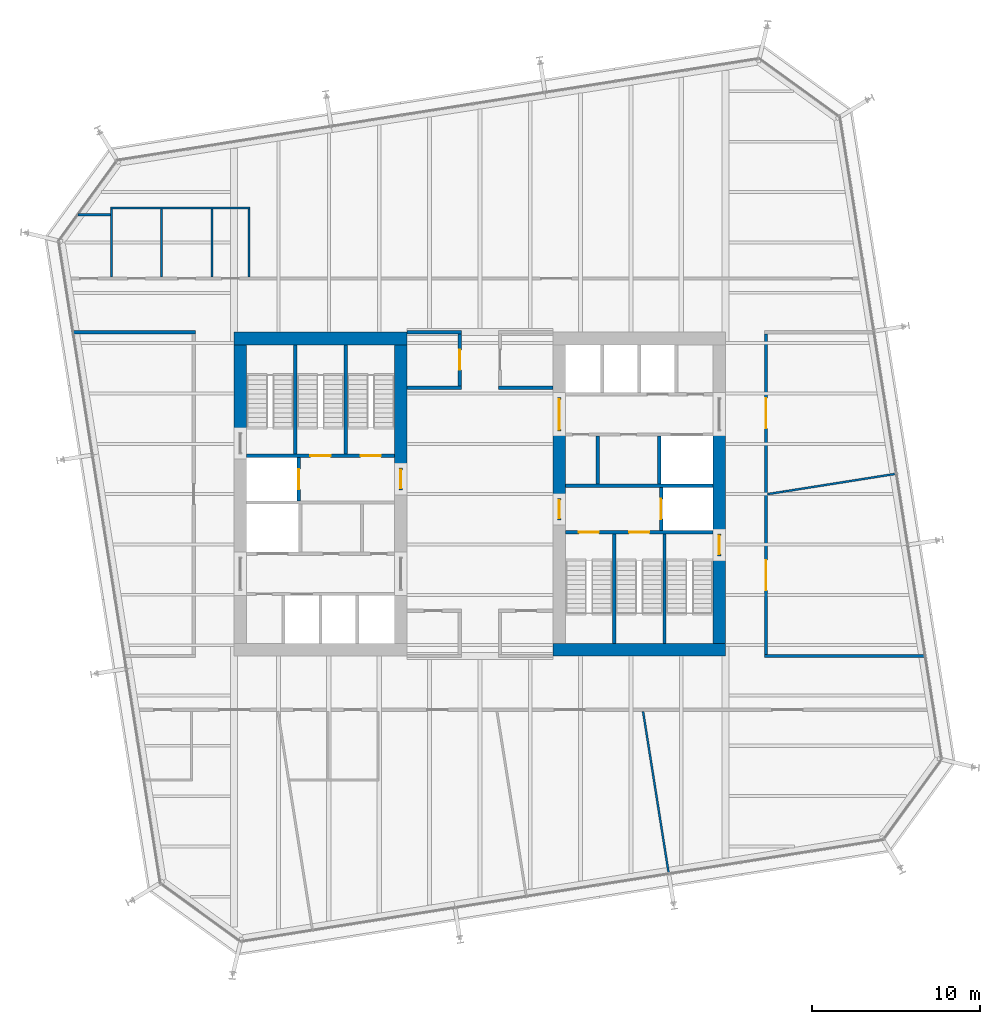
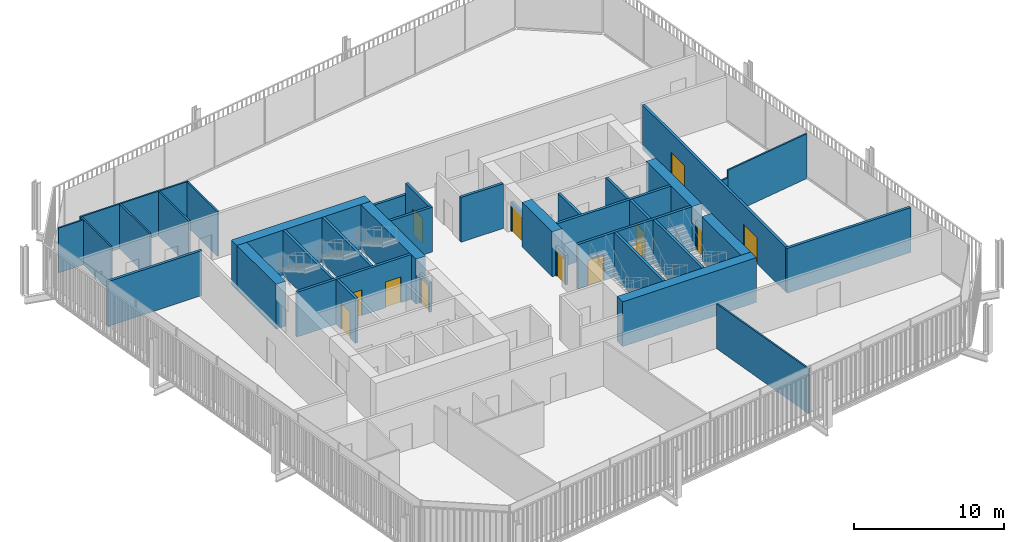
# One storey, part 18 of 21: 38 walls, 13 doors, 13 openings.
"""IFC4 building model written with IfcOpenShell, lengths in metres."""

from ifc_helpers import new_model, si_unit, direction, frame, frame_2d, origin, place, context, subcontext, project, spatial, rectangle, extrude, material, layer, layer_set, type_object, element, fill, save


model = new_model("IFC4")

# Units and contexts
model_context = context("Model", 3, precision=1e-05, world=origin(), true_north=direction((0.0, 1.0)))
body_context = subcontext(model_context, "Body", "Model", "MODEL_VIEW")
ifc_project = project(units=[si_unit("LENGTHUNIT", "METRE"), si_unit("AREAUNIT", "SQUARE_METRE"), si_unit("VOLUMEUNIT", "CUBIC_METRE"), si_unit("PLANEANGLEUNIT", "RADIAN"), si_unit("MASSUNIT", "GRAM", prefix="KILO")], contexts=[model_context])

# Site, building, storey
site_placement = place(None, origin())
site = spatial("IfcSite", under=ifc_project, at=site_placement, CompositionType="ELEMENT")
building_placement = place(site_placement, origin())
building = spatial("IfcBuilding", under=site, at=building_placement, Name="Millrace Tower", CompositionType="ELEMENT")
storey_placement = place(building_placement, frame((0.0, 0.0, 191.699951171875)))
storey = spatial("IfcBuildingStorey", under=building, at=storey_placement, Name="L43", CompositionType="ELEMENT", Elevation=191.699951171875)

# Walls
ifc_material_1 = material(Name="Concrete C70", Category="concrete")
ifc_layer_1 = layer(ifc_material_1, 0.75)
ifc_layer_set_1 = layer_set([ifc_layer_1], Name="Concrete C70")
wall_type_1 = type_object("IfcWallType", Name="Core wall 750 Concrete C70", PredefinedType="SHEAR", material=ifc_layer_set_1)
wall_1_placement = place(storey_placement, frame((-14.64990234375, 9.27490234375, 0.0), z_axis=(0.0, 0.0, 1.0), x_axis=(1.0, 0.0, 0.0)))
element("IfcWall", 1, at=wall_1_placement, inside=storey, type_object=wall_type_1, Name="Core wall W L43", PredefinedType="SHEAR", context=body_context, shape_type="SweptSolid", body=[
    extrude(rectangle(XDim=10.2998046875, YDim=0.75, at=frame_2d((5.14990234375, 0.0))), origin(), (0.0, 0.0, 1.0), 3.650146484375),
])
wall_2_placement = place(storey_placement, frame((-14.27490234375, 3.679931640625, 0.0), z_axis=(0.0, 0.0, 1.0), x_axis=(0.0, 1.0, 0.0)))
element("IfcWall", 2, at=wall_2_placement, inside=storey, type_object=wall_type_1, Name="Core wall W L43", PredefinedType="SHEAR", context=body_context, shape_type="SweptSolid", body=[
    extrude(rectangle(XDim=5.219970703125, YDim=0.75, at=frame_2d((2.60986328125, 0.0))), origin(), (0.0, 0.0, 1.0), 3.650146484375),
])
wall_3_placement = place(storey_placement, frame((-4.72509765625, 1.550048828125, 0.0), z_axis=(0.0, 0.0, 1.0), x_axis=(0.0, 1.0, 0.0)))
element("IfcWall", 3, at=wall_3_placement, inside=storey, type_object=wall_type_1, Name="Core wall W L43", PredefinedType="SHEAR", context=body_context, shape_type="SweptSolid", body=[
    extrude(rectangle(XDim=7.349853515625, YDim=0.75, at=frame_2d((3.6748046875, 0.0))), origin(), (0.0, 0.0, 1.0), 3.650146484375),
])
wall_4_placement = place(storey_placement, frame((14.64990234375, -9.27490234375, 0.0), z_axis=(0.0, 0.0, 1.0), x_axis=(-1.0, 0.0, 0.0)))
element("IfcWall", 4, at=wall_4_placement, inside=storey, type_object=wall_type_1, Name="Core wall E L43", PredefinedType="SHEAR", context=body_context, shape_type="SweptSolid", body=[
    extrude(rectangle(XDim=10.2998046875, YDim=0.75, at=frame_2d((5.14990234375, 0.0))), origin(), (0.0, 0.0, 1.0), 3.650146484375),
])
wall_5_placement = place(storey_placement, frame((14.27490234375, 3.75, 0.0), z_axis=(0.0, 0.0, 1.0), x_axis=(0.0, -1.0, 0.0)))
element("IfcWall", 5, at=wall_5_placement, inside=storey, type_object=wall_type_1, Name="Core wall E L43", PredefinedType="SHEAR", context=body_context, shape_type="SweptSolid", body=[
    extrude(rectangle(XDim=6.1298828125, YDim=0.75, at=frame_2d((3.06494140625, 0.0))), origin(), (0.0, 0.0, 1.0), 3.650146484375),
])
wall_6_placement = place(storey_placement, frame((14.27490234375, -3.679931640625, 0.0), z_axis=(0.0, 0.0, 1.0), x_axis=(0.0, -1.0, 0.0)))
element("IfcWall", 6, at=wall_6_placement, inside=storey, type_object=wall_type_1, Name="Core wall E L43", PredefinedType="SHEAR", context=body_context, shape_type="SweptSolid", body=[
    extrude(rectangle(XDim=5.219970703125, YDim=0.75, at=frame_2d((2.60986328125, 0.0))), origin(), (0.0, 0.0, 1.0), 3.650146484375),
])
wall_7_placement = place(storey_placement, frame((4.72509765625, 3.75, 0.0), z_axis=(0.0, 0.0, 1.0), x_axis=(0.0, -1.0, 0.0)))
element("IfcWall", 7, at=wall_7_placement, inside=storey, type_object=wall_type_1, Name="Core wall E L43", PredefinedType="SHEAR", context=body_context, shape_type="SweptSolid", body=[
    extrude(rectangle(XDim=4.0, YDim=0.75, at=frame_2d((2.0, 0.0))), origin(), (0.0, 0.0, 1.0), 3.650146484375),
])
ifc_material_2 = material(Name="Masonry partition, fire-rated", Category="masonry")
ifc_layer_2 = layer(ifc_material_2, 0.199951171875)
ifc_layer_set_2 = layer_set([ifc_layer_2], Name="Masonry partition, fire-rated")
wall_type_2 = type_object("IfcWallType", Name="Corridor wall 200", PredefinedType="PARTITIONING", material=ifc_layer_set_2)
wall_8_placement = place(storey_placement, frame((16.949951171875, -9.64990234375, 0.0), z_axis=(0.0, 0.0, 1.0), x_axis=(1.0, 0.0, 0.0)))
element("IfcWall", 8, at=wall_8_placement, inside=storey, type_object=wall_type_2, Name="Corridor wall L43", PredefinedType="PARTITIONING", context=body_context, shape_type="SweptSolid", body=[
    extrude(rectangle(XDim=9.54638671875, YDim=0.199951171875, at=frame_2d((4.773193359375, 0.0))), origin(), (0.0, 0.0, 1.0), 3.650146484375),
])
for number, where, z_axis, x_axis, name in (
    (9, (-4.35009765625, 6.35009765625, 0.0), (0.0, 0.0, 1.0), (1.0, 0.0, 0.0), "Corridor wall L43"),
    (10, (1.10009765625, 6.35009765625, 0.0), (0.0, 0.0, 1.0), (1.0, 0.0, 0.0), "Corridor wall L43"),
):
    element("IfcWall", number, at=place(storey_placement, frame(where, z_axis=z_axis, x_axis=x_axis)), inside=storey, type_object=wall_type_2, Name=name, PredefinedType="PARTITIONING", context=body_context, shape_type="SweptSolid", body=[
        extrude(rectangle(XDim=3.25, YDim=0.199951171875, at=frame_2d((1.625, 0.0))), origin(), (0.0, 0.0, 1.0), 3.650146484375),
    ])
wall_9_placement = place(storey_placement, frame((-24.20703125, 9.64990234375, 0.0), z_axis=(0.0, 0.0, 1.0), x_axis=(1.0, 0.0, 0.0)))
element("IfcWall", 11, at=wall_9_placement, inside=storey, type_object=wall_type_2, Name="Corridor wall L43", PredefinedType="PARTITIONING", context=body_context, shape_type="SweptSolid", body=[
    extrude(rectangle(XDim=7.257080078125, YDim=0.199951171875, at=frame_2d((3.62841796875, 0.0))), origin(), (0.0, 0.0, 1.0), 3.650146484375),
])
wall_10_placement = place(storey_placement, frame((-4.35009765625, 9.64990234375, 0.0), z_axis=(0.0, 0.0, 1.0), x_axis=(1.0, 0.0, 0.0)))
element("IfcWall", 12, at=wall_10_placement, inside=storey, type_object=wall_type_2, Name="Corridor wall L43", PredefinedType="PARTITIONING", context=body_context, shape_type="SweptSolid", body=[
    extrude(rectangle(XDim=3.25, YDim=0.199951171875, at=frame_2d((1.625, 0.0))), origin(), (0.0, 0.0, 1.0), 2.70263671875),
])

# Wall, openings, doors
wall_11_placement = place(storey_placement, frame((17.050048828125, -9.550048828125, 0.0), z_axis=(0.0, 0.0, 1.0), x_axis=(0.0, 1.0, 0.0)))
wall_11 = element("IfcWall", 13, at=wall_11_placement, inside=storey, type_object=wall_type_2, Name="Corridor wall L43", PredefinedType="PARTITIONING", context=body_context, shape_type="SweptSolid", body=[
    extrude(rectangle(XDim=19.10009765625, YDim=0.199951171875, at=frame_2d((9.550048828125, 0.0))), origin(), (0.0, 0.0, 1.0), 3.650146484375),
])
opening_1_placement = place(wall_11_placement, frame((3.81689453125, 0.0, 0.0)))
opening_1 = element("IfcOpeningElement", 14, at=opening_1_placement, cuts=wall_11, Name="Opening 43-P007", PredefinedType="OPENING", context=body_context, shape_type="SweptSolid", body=[
    extrude(rectangle(XDim=1.800048828125, YDim=2.10009765625, at=frame_2d((0.89990234375, 1.050048828125))), frame((0.0, 0.10986328125, 0.0), z_axis=(0.0, -1.0, 0.0), x_axis=(1.0, 0.0, 0.0)), (0.0, 0.0, 1.0), 0.219970703125),
])
opening_2_placement = place(wall_11_placement, frame((13.467041015625, 0.0, 0.0)))
opening_2 = element("IfcOpeningElement", 15, at=opening_2_placement, cuts=wall_11, Name="Opening 43-P008", PredefinedType="OPENING", context=body_context, shape_type="SweptSolid", body=[
    extrude(rectangle(XDim=1.800048828125, YDim=2.10009765625, at=frame_2d((0.89990234375, 1.050048828125))), frame((0.0, 0.10986328125, 0.0), z_axis=(0.0, -1.0, 0.0), x_axis=(1.0, 0.0, 0.0)), (0.0, 0.0, 1.0), 0.219970703125),
])
ifc_material_3 = material(Name="Steel door set, fire-rated", Category="steel")
door_type_1 = type_object("IfcDoorType", Name="Corridor door 1800 x 2100", OperationType="DOUBLE_DOOR_SINGLE_SWING", PredefinedType="DOOR", material=ifc_material_3)
door_1_placement = place(opening_1_placement, frame((1.800048828125, 0.0, 0.0), z_axis=(0.0, 0.0, 1.0), x_axis=(-1.0, 0.0, 0.0)))
door_1 = element("IfcDoor", 16, at=door_1_placement, inside=storey, type_object=door_type_1, Name="Door 43-P007", OperationType="DOUBLE_DOOR_SINGLE_SWING", OverallHeight=2.10009765625, OverallWidth=1.800048828125, PredefinedType="DOOR", context=body_context, shape_type="SweptSolid", body=[
    extrude(rectangle(XDim=1.800048828125, YDim=2.10009765625, at=frame_2d((0.89990234375, 1.050048828125))), frame((0.0, 0.02490234375, 0.0), z_axis=(0.0, -1.0, 0.0), x_axis=(1.0, 0.0, 0.0)), (0.0, 0.0, 1.0), 0.050048828125),
])
fill(opening_1, door_1)
door_2_placement = place(opening_2_placement, frame((1.800048828125, 0.0, 0.0), z_axis=(0.0, 0.0, 1.0), x_axis=(-1.0, 0.0, 0.0)))
door_2 = element("IfcDoor", 17, at=door_2_placement, inside=storey, type_object=door_type_1, Name="Door 43-P008", OperationType="DOUBLE_DOOR_SINGLE_SWING", OverallHeight=2.10009765625, OverallWidth=1.800048828125, PredefinedType="DOOR", context=body_context, shape_type="SweptSolid", body=[
    extrude(rectangle(XDim=1.800048828125, YDim=2.10009765625, at=frame_2d((0.89990234375, 1.050048828125))), frame((0.0, 0.02490234375, 0.0), z_axis=(0.0, -1.0, 0.0), x_axis=(1.0, 0.0, 0.0)), (0.0, 0.0, 1.0), 0.050048828125),
])
fill(opening_2, door_2)

# Wall, opening, door
wall_12_placement = place(storey_placement, frame((-1.199951171875, 6.449951171875, 0.0), z_axis=(0.0, 0.0, 1.0), x_axis=(0.0, 1.0, 0.0)))
wall_12 = element("IfcWall", 18, at=wall_12_placement, inside=storey, type_object=wall_type_2, Name="Corridor wall L43", PredefinedType="PARTITIONING", context=body_context, shape_type="SweptSolid", body=[
    extrude(rectangle(XDim=3.10009765625, YDim=0.199951171875, at=frame_2d((1.550048828125, 0.0))), origin(), (0.0, 0.0, 1.0), 3.650146484375),
])
opening_3_placement = place(wall_12_placement, frame((0.949951171875, 0.0, 0.0)))
opening_3 = element("IfcOpeningElement", 19, at=opening_3_placement, cuts=wall_12, Name="Opening 43-P001", PredefinedType="OPENING", context=body_context, shape_type="SweptSolid", body=[
    extrude(rectangle(XDim=1.199951171875, YDim=2.10009765625, at=frame_2d((0.60009765625, 1.050048828125))), frame((0.0, 0.10986328125, 0.0), z_axis=(0.0, -1.0, 0.0), x_axis=(1.0, 0.0, 0.0)), (0.0, 0.0, 1.0), 0.219970703125),
])
ifc_material_4 = material(Name="Steel door set, fire-rated", Category="steel")
door_type_2 = type_object("IfcDoorType", Name="Corridor door 1200 x 2100", OperationType="SINGLE_SWING_LEFT", PredefinedType="DOOR", material=ifc_material_4)
door_3_placement = place(opening_3_placement, origin())
door_3 = element("IfcDoor", 20, at=door_3_placement, inside=storey, type_object=door_type_2, Name="Door 43-P001", OperationType="SINGLE_SWING_LEFT", OverallHeight=2.10009765625, OverallWidth=1.199951171875, PredefinedType="DOOR", context=body_context, shape_type="SweptSolid", body=[
    extrude(rectangle(XDim=1.199951171875, YDim=2.10009765625, at=frame_2d((0.60009765625, 1.050048828125))), frame((0.0, 0.02490234375, 0.0), z_axis=(0.0, -1.0, 0.0), x_axis=(1.0, 0.0, 0.0)), (0.0, 0.0, 1.0), 0.050048828125),
])
fill(opening_3, door_3)

ifc_material_5 = material(Name="Masonry partition, fire-rated", Category="masonry")
ifc_layer_3 = layer(ifc_material_5, 0.199951171875)
ifc_layer_set_3 = layer_set([ifc_layer_3], Name="Masonry partition, fire-rated")
wall_type_3 = type_object("IfcWallType", Name="Lift shaft wall 200", PredefinedType="PARTITIONING", material=ifc_layer_set_3)
wall_13_placement = place(storey_placement, frame((-10.800048828125, -0.39990234375, 0.0), z_axis=(0.0, 0.0, 1.0), x_axis=(0.0, 1.0, 0.0)))
wall_13 = element("IfcWall", 21, at=wall_13_placement, inside=storey, type_object=wall_type_3, Name="Lift shaft wall W L43", PredefinedType="PARTITIONING", context=body_context, shape_type="SweptSolid", body=[
    extrude(rectangle(XDim=2.579833984375, YDim=0.199951171875, at=frame_2d((1.2900390625, 0.0))), origin(), (0.0, 0.0, 1.0), 3.650146484375),
])
opening_4_placement = place(wall_13_placement, frame((0.68994140625, 0.0, 0.0)))
opening_4 = element("IfcOpeningElement", 22, at=opening_4_placement, cuts=wall_13, Name="Opening 43-LD08", PredefinedType="OPENING", context=body_context, shape_type="SweptSolid", body=[
    extrude(rectangle(XDim=1.199951171875, YDim=2.10009765625, at=frame_2d((0.60009765625, 1.050048828125))), frame((0.0, 0.10986328125, 0.0), z_axis=(0.0, -1.0, 0.0), x_axis=(1.0, 0.0, 0.0)), (0.0, 0.0, 1.0), 0.219970703125),
])
ifc_material_6 = material(Name="Stainless steel, fire-rated", Category="steel")
door_type_3 = type_object("IfcDoorType", Name="Lift landing door 1200 x 2100", OperationType="DOUBLE_DOOR_SLIDING", PredefinedType="DOOR", material=ifc_material_6)
door_4_placement = place(opening_4_placement, origin())
door_4 = element("IfcDoor", 23, at=door_4_placement, inside=storey, type_object=door_type_3, Name="Lift landing door LF8 L43", OperationType="DOUBLE_DOOR_SLIDING", OverallHeight=2.10009765625, OverallWidth=1.199951171875, PredefinedType="DOOR", context=body_context, shape_type="SweptSolid", body=[
    extrude(rectangle(XDim=1.199951171875, YDim=2.10009765625, at=frame_2d((0.60009765625, 1.050048828125))), frame((0.0, 0.02490234375, 0.0), z_axis=(0.0, -1.0, 0.0), x_axis=(1.0, 0.0, 0.0)), (0.0, 0.0, 1.0), 0.050048828125),
])
fill(opening_4, door_4)

# Wall
wall_14_placement = place(storey_placement, frame((13.89990234375, 0.5, 0.0), z_axis=(0.0, 0.0, 1.0), x_axis=(-1.0, 0.0, 0.0)))
element("IfcWall", 24, at=wall_14_placement, inside=storey, type_object=wall_type_3, Name="Lift shaft wall E L43", PredefinedType="PARTITIONING", context=body_context, shape_type="SweptSolid", body=[
    extrude(rectangle(XDim=8.7998046875, YDim=0.199951171875, at=frame_2d((4.39990234375, 0.0))), origin(), (0.0, 0.0, 1.0), 3.650146484375),
])

# Wall, opening, door
wall_15_placement = place(storey_placement, frame((10.800048828125, 0.39990234375, 0.0), z_axis=(0.0, 0.0, 1.0), x_axis=(0.0, -1.0, 0.0)))
wall_15 = element("IfcWall", 25, at=wall_15_placement, inside=storey, type_object=wall_type_3, Name="Lift shaft wall E L43", PredefinedType="PARTITIONING", context=body_context, shape_type="SweptSolid", body=[
    extrude(rectangle(XDim=2.579833984375, YDim=0.199951171875, at=frame_2d((1.2900390625, 0.0))), origin(), (0.0, 0.0, 1.0), 3.650146484375),
])
opening_5_placement = place(wall_15_placement, frame((0.68994140625, 0.0, 0.0)))
opening_5 = element("IfcOpeningElement", 26, at=opening_5_placement, cuts=wall_15, Name="Opening 43-LD16", PredefinedType="OPENING", context=body_context, shape_type="SweptSolid", body=[
    extrude(rectangle(XDim=1.199951171875, YDim=2.10009765625, at=frame_2d((0.60009765625, 1.050048828125))), frame((0.0, 0.10986328125, 0.0), z_axis=(0.0, -1.0, 0.0), x_axis=(1.0, 0.0, 0.0)), (0.0, 0.0, 1.0), 0.219970703125),
])
door_5_placement = place(opening_5_placement, origin())
door_5 = element("IfcDoor", 27, at=door_5_placement, inside=storey, type_object=door_type_3, Name="Lift landing door LF16 L43", OperationType="DOUBLE_DOOR_SLIDING", OverallHeight=2.10009765625, OverallWidth=1.199951171875, PredefinedType="DOOR", context=body_context, shape_type="SweptSolid", body=[
    extrude(rectangle(XDim=1.199951171875, YDim=2.10009765625, at=frame_2d((0.60009765625, 1.050048828125))), frame((0.0, 0.02490234375, 0.0), z_axis=(0.0, -1.0, 0.0), x_axis=(1.0, 0.0, 0.0)), (0.0, 0.0, 1.0), 0.050048828125),
])
fill(opening_5, door_5)

# Wall
wall_16_placement = place(storey_placement, frame((10.699951171875, 3.449951171875, 0.0), z_axis=(0.0, 0.0, 1.0), x_axis=(0.0, -1.0, 0.0)))
element("IfcWall", 28, at=wall_16_placement, inside=storey, type_object=wall_type_3, Name="Lift shaft wall E L43", PredefinedType="PARTITIONING", context=body_context, shape_type="SweptSolid", body=[
    extrude(rectangle(XDim=2.849853515625, YDim=0.199951171875, at=frame_2d((1.4248046875, 0.0))), origin(), (0.0, 0.0, 1.0), 3.650146484375),
])

# Wall, opening, door
ifc_material_7 = material(Name="Masonry partition, fire-rated", Category="masonry")
ifc_layer_4 = layer(ifc_material_7, 0.199951171875)
ifc_layer_set_4 = layer_set([ifc_layer_4], Name="Masonry partition, fire-rated")
wall_type_4 = type_object("IfcWallType", Name="Lobby wall 200", PredefinedType="PARTITIONING", material=ifc_layer_set_4)
wall_17_placement = place(storey_placement, frame((-4.72509765625, 0.25, 0.0), z_axis=(0.0, 0.0, 1.0), x_axis=(0.0, 1.0, 0.0)))
wall_17 = element("IfcWall", 29, at=wall_17_placement, inside=storey, type_object=wall_type_4, Name="Lobby wall W L43", PredefinedType="PARTITIONING", context=body_context, shape_type="SweptSolid", body=[
    extrude(rectangle(XDim=1.300048828125, YDim=0.199951171875, at=frame_2d((0.64990234375, 0.0))), origin(), (0.0, 0.0, 1.0), 2.400146484375),
])
opening_6_placement = place(wall_17_placement, frame((0.10009765625, 0.0, 0.0)))
opening_6 = element("IfcOpeningElement", 30, at=opening_6_placement, cuts=wall_17, Name="Opening 43-C004", PredefinedType="OPENING", context=body_context, shape_type="SweptSolid", body=[
    extrude(rectangle(XDim=1.10009765625, YDim=2.10009765625, at=frame_2d((0.550048828125, 1.050048828125))), frame((0.0, 0.10986328125, 0.0), z_axis=(0.0, -1.0, 0.0), x_axis=(1.0, 0.0, 0.0)), (0.0, 0.0, 1.0), 0.219970703125),
])
ifc_material_8 = material(Name="Steel door, fire-rated", Category="steel")
door_type_4 = type_object("IfcDoorType", Name="Lobby door 1100 x 2100", OperationType="SINGLE_SWING_LEFT", PredefinedType="DOOR", material=ifc_material_8)
door_6_placement = place(opening_6_placement, origin())
door_6 = element("IfcDoor", 31, at=door_6_placement, inside=storey, type_object=door_type_4, Name="Lobby door 43-C004", OperationType="SINGLE_SWING_LEFT", OverallHeight=2.10009765625, OverallWidth=1.10009765625, PredefinedType="DOOR", context=body_context, shape_type="SweptSolid", body=[
    extrude(rectangle(XDim=1.10009765625, YDim=2.10009765625, at=frame_2d((0.550048828125, 1.050048828125))), frame((0.0, 0.02490234375, 0.0), z_axis=(0.0, -1.0, 0.0), x_axis=(1.0, 0.0, 0.0)), (0.0, 0.0, 1.0), 0.050048828125),
])
fill(opening_6, door_6)

wall_18_placement = place(storey_placement, frame((4.72509765625, 5.75, 0.0), z_axis=(0.0, 0.0, 1.0), x_axis=(0.0, -1.0, 0.0)))
wall_18 = element("IfcWall", 32, at=wall_18_placement, inside=storey, type_object=wall_type_4, Name="Lobby wall E L43", PredefinedType="PARTITIONING", context=body_context, shape_type="SweptSolid", body=[
    extrude(rectangle(XDim=2.0, YDim=0.199951171875, at=frame_2d((1.0, 0.0))), origin(), (0.0, 0.0, 1.0), 2.400146484375),
])
opening_7_placement = place(wall_18_placement, frame((0.10009765625, 0.0, 0.0)))
opening_7 = element("IfcOpeningElement", 33, at=opening_7_placement, cuts=wall_18, Name="Opening 43-C012", PredefinedType="OPENING", context=body_context, shape_type="SweptSolid", body=[
    extrude(rectangle(XDim=1.800048828125, YDim=2.10009765625, at=frame_2d((0.89990234375, 1.050048828125))), frame((0.0, 0.10986328125, 0.0), z_axis=(0.0, -1.0, 0.0), x_axis=(1.0, 0.0, 0.0)), (0.0, 0.0, 1.0), 0.219970703125),
])
ifc_material_9 = material(Name="Steel door, fire-rated", Category="steel")
door_type_5 = type_object("IfcDoorType", Name="Lobby door 1800 x 2100", OperationType="DOUBLE_DOOR_SINGLE_SWING", PredefinedType="DOOR", material=ifc_material_9)
door_7_placement = place(opening_7_placement, origin())
door_7 = element("IfcDoor", 34, at=door_7_placement, inside=storey, type_object=door_type_5, Name="Lobby door 43-C012", OperationType="DOUBLE_DOOR_SINGLE_SWING", OverallHeight=2.10009765625, OverallWidth=1.800048828125, PredefinedType="DOOR", context=body_context, shape_type="SweptSolid", body=[
    extrude(rectangle(XDim=1.800048828125, YDim=2.10009765625, at=frame_2d((0.89990234375, 1.050048828125))), frame((0.0, 0.02490234375, 0.0), z_axis=(0.0, -1.0, 0.0), x_axis=(1.0, 0.0, 0.0)), (0.0, 0.0, 1.0), 0.050048828125),
])
fill(opening_7, door_7)

wall_19_placement = place(storey_placement, frame((4.72509765625, -0.25, 0.0), z_axis=(0.0, 0.0, 1.0), x_axis=(0.0, -1.0, 0.0)))
wall_19 = element("IfcWall", 35, at=wall_19_placement, inside=storey, type_object=wall_type_4, Name="Lobby wall E L43", PredefinedType="PARTITIONING", context=body_context, shape_type="SweptSolid", body=[
    extrude(rectangle(XDim=1.300048828125, YDim=0.199951171875, at=frame_2d((0.64990234375, 0.0))), origin(), (0.0, 0.0, 1.0), 2.400146484375),
])
opening_8_placement = place(wall_19_placement, frame((0.10009765625, 0.0, 0.0)))
opening_8 = element("IfcOpeningElement", 36, at=opening_8_placement, cuts=wall_19, Name="Opening 43-C013", PredefinedType="OPENING", context=body_context, shape_type="SweptSolid", body=[
    extrude(rectangle(XDim=1.10009765625, YDim=2.10009765625, at=frame_2d((0.550048828125, 1.050048828125))), frame((0.0, 0.10986328125, 0.0), z_axis=(0.0, -1.0, 0.0), x_axis=(1.0, 0.0, 0.0)), (0.0, 0.0, 1.0), 0.219970703125),
])
door_8_placement = place(opening_8_placement, origin())
door_8 = element("IfcDoor", 37, at=door_8_placement, inside=storey, type_object=door_type_4, Name="Lobby door 43-C013", OperationType="SINGLE_SWING_RIGHT", OverallHeight=2.10009765625, OverallWidth=1.10009765625, PredefinedType="DOOR", context=body_context, shape_type="SweptSolid", body=[
    extrude(rectangle(XDim=1.10009765625, YDim=2.10009765625, at=frame_2d((0.550048828125, 1.050048828125))), frame((0.0, 0.02490234375, 0.0), z_axis=(0.0, -1.0, 0.0), x_axis=(1.0, 0.0, 0.0)), (0.0, 0.0, 1.0), 0.050048828125),
])
fill(opening_8, door_8)

# Walls
ifc_material_10 = material(Name="Gypsum board partition")
ifc_layer_5 = layer(ifc_material_10, 0.1201171875)
ifc_layer_set_5 = layer_set([ifc_layer_5], Name="Gypsum board partition")
wall_type_5 = type_object("IfcWallType", Name="Partition wall 120", PredefinedType="PARTITIONING", material=ifc_layer_set_5)
wall_20_placement = place(storey_placement, frame((9.7255859375, -12.94873046875, 0.0), z_axis=(0.0, 0.0, 1.0), x_axis=(0.156481887186, -0.987680828498, 0.0)))
element("IfcWall", 38, at=wall_20_placement, inside=storey, type_object=wall_type_5, Name="Partition wall L43", PredefinedType="PARTITIONING", context=body_context, shape_type="SweptSolid", body=[
    extrude(rectangle(XDim=9.752685546875, YDim=0.1201171875, at=frame_2d((4.87646484375, 0.0))), origin(), (0.0, 0.0, 1.0), 3.650146484375),
])
wall_21_placement = place(storey_placement, frame((-23.938232421875, 16.64990234375, 0.0), z_axis=(0.0, 0.0, 1.0), x_axis=(1.0, 0.0, 0.0)))
element("IfcWall", 39, at=wall_21_placement, inside=storey, type_object=wall_type_5, Name="Partition wall L43", PredefinedType="PARTITIONING", context=body_context, shape_type="SweptSolid", body=[
    extrude(rectangle(XDim=1.915283203125, YDim=0.1201171875, at=frame_2d((0.95751953125, 0.0))), origin(), (0.0, 0.0, 1.0), 3.650146484375),
])
wall_22_placement = place(storey_placement, frame((-22.02294921875, 17.050048828125, 0.0), z_axis=(0.0, 0.0, 1.0), x_axis=(1.0, 0.0, 0.0)))
element("IfcWall", 40, at=wall_22_placement, inside=storey, type_object=wall_type_5, Name="Partition wall L43", PredefinedType="PARTITIONING", context=body_context, shape_type="SweptSolid", body=[
    extrude(rectangle(XDim=8.320068359375, YDim=0.1201171875, at=frame_2d((4.16015625, 0.0))), origin(), (0.0, 0.0, 1.0), 3.650146484375),
])
wall_23_placement = place(storey_placement, frame((17.148681640625, -0.000244140625, 0.0), z_axis=(0.0, 0.0, 1.0), x_axis=(0.987721262279, 0.156226463961, 0.0)))
element("IfcWall", 41, at=wall_23_placement, inside=storey, type_object=wall_type_5, Name="Partition wall L43", PredefinedType="PARTITIONING", context=body_context, shape_type="SweptSolid", body=[
    extrude(rectangle(XDim=0.9501953125, YDim=0.1201171875, at=frame_2d((0.47509765625, 0.0))), origin(), (0.0, 0.0, 1.0), 3.050537109375),
])
wall_24_placement = place(storey_placement, frame((18.087158203125, 0.148193359375, 0.0), z_axis=(0.0, 0.0, 1.0), x_axis=(0.987686857181, 0.156443830663, 0.0)))
element("IfcWall", 42, at=wall_24_placement, inside=storey, type_object=wall_type_5, Name="Partition wall L43", PredefinedType="PARTITIONING", context=body_context, shape_type="SweptSolid", body=[
    extrude(rectangle(XDim=6.77294921875, YDim=0.1201171875, at=frame_2d((3.386474609375, 0.0))), origin(), (0.0, 0.0, 1.0), 3.650146484375),
])
for number, where, z_axis, x_axis, name in (
    (43, (-13.762939453125, 12.949951171875, 0.0), (0.0, 0.0, 1.0), (0.0, 1.0, 0.0), "Partition wall L43"),
    (44, (-15.962890625, 12.949951171875, 0.0), (0.0, 0.0, 1.0), (0.0, 1.0, 0.0), "Partition wall L43"),
    (45, (-18.962890625, 12.949951171875, 0.0), (0.0, 0.0, 1.0), (0.0, 1.0, 0.0), "Partition wall L43"),
    (46, (-21.962890625, 12.949951171875, 0.0), (0.0, 0.0, 1.0), (0.0, 1.0, 0.0), "Partition wall L43"),
):
    element("IfcWall", number, at=place(storey_placement, frame(where, z_axis=z_axis, x_axis=x_axis)), inside=storey, type_object=wall_type_5, Name=name, PredefinedType="PARTITIONING", context=body_context, shape_type="SweptSolid", body=[
        extrude(rectangle(XDim=4.0400390625, YDim=0.1201171875, at=frame_2d((2.02001953125, 0.0))), origin(), (0.0, 0.0, 1.0), 3.650146484375),
    ])
ifc_material_11 = material(Name="Masonry partition, fire-rated", Category="masonry")
ifc_layer_6 = layer(ifc_material_11, 0.199951171875)
ifc_layer_set_6 = layer_set([ifc_layer_6], Name="Masonry partition, fire-rated")
wall_type_6 = type_object("IfcWallType", Name="Room partition 200", PredefinedType="PARTITIONING", material=ifc_layer_set_6)
wall_25_placement = place(storey_placement, frame((7.02490234375, 3.449951171875, 0.0), z_axis=(0.0, 0.0, 1.0), x_axis=(0.0, -1.0, 0.0)))
element("IfcWall", 47, at=wall_25_placement, inside=storey, type_object=wall_type_6, Name="Room partition E L43", PredefinedType="PARTITIONING", context=body_context, shape_type="SweptSolid", body=[
    extrude(rectangle(XDim=2.849853515625, YDim=0.199951171875, at=frame_2d((1.4248046875, 0.0))), origin(), (0.0, 0.0, 1.0), 3.650146484375),
])

# Wall, openings, doors
ifc_material_12 = material(Name="Concrete C40", Category="concrete")
ifc_layer_7 = layer(ifc_material_12, 0.199951171875)
ifc_layer_set_7 = layer_set([ifc_layer_7], Name="Concrete C40")
wall_type_7 = type_object("IfcWallType", Name="Stair enclosure wall 200 Concrete C40", PredefinedType="SHEAR", material=ifc_layer_set_7)
wall_26_placement = place(storey_placement, frame((-13.89990234375, 2.280029296875, 0.0), z_axis=(0.0, 0.0, 1.0), x_axis=(1.0, 0.0, 0.0)))
wall_26 = element("IfcWall", 48, at=wall_26_placement, inside=storey, type_object=wall_type_7, Name="Stair enclosure wall W L43", PredefinedType="SHEAR", context=body_context, shape_type="SweptSolid", body=[
    extrude(rectangle(XDim=8.7998046875, YDim=0.199951171875, at=frame_2d((4.39990234375, 0.0))), origin(), (0.0, 0.0, 1.0), 3.650146484375),
])
opening_9_placement = place(wall_26_placement, frame((3.800048828125, 0.0, 0.0)))
opening_9 = element("IfcOpeningElement", 49, at=opening_9_placement, cuts=wall_26, Name="Opening 43-C008", PredefinedType="OPENING", context=body_context, shape_type="SweptSolid", body=[
    extrude(rectangle(XDim=1.199951171875, YDim=2.10009765625, at=frame_2d((0.60009765625, 1.050048828125))), frame((0.0, 0.10986328125, 0.0), z_axis=(0.0, -1.0, 0.0), x_axis=(1.0, 0.0, 0.0)), (0.0, 0.0, 1.0), 0.219970703125),
])
opening_10_placement = place(wall_26_placement, frame((6.800048828125, 0.0, 0.0)))
opening_10 = element("IfcOpeningElement", 50, at=opening_10_placement, cuts=wall_26, Name="Opening 43-C009", PredefinedType="OPENING", context=body_context, shape_type="SweptSolid", body=[
    extrude(rectangle(XDim=1.199951171875, YDim=2.10009765625, at=frame_2d((0.60009765625, 1.050048828125))), frame((0.0, 0.10986328125, 0.0), z_axis=(0.0, -1.0, 0.0), x_axis=(1.0, 0.0, 0.0)), (0.0, 0.0, 1.0), 0.219970703125),
])
ifc_material_13 = material(Name="Steel door, fire-rated", Category="steel")
door_type_6 = type_object("IfcDoorType", Name="Stair door 1200 x 2100", OperationType="SINGLE_SWING_LEFT", PredefinedType="DOOR", material=ifc_material_13)
door_9_placement = place(opening_9_placement, frame((1.199951171875, 0.0, 0.0), z_axis=(0.0, 0.0, 1.0), x_axis=(-1.0, 0.0, 0.0)))
door_9 = element("IfcDoor", 51, at=door_9_placement, inside=storey, type_object=door_type_6, Name="Stair door 43-C008", OperationType="SINGLE_SWING_LEFT", OverallHeight=2.10009765625, OverallWidth=1.199951171875, PredefinedType="DOOR", context=body_context, shape_type="SweptSolid", body=[
    extrude(rectangle(XDim=1.199951171875, YDim=2.10009765625, at=frame_2d((0.60009765625, 1.050048828125))), frame((0.0, 0.02490234375, 0.0), z_axis=(0.0, -1.0, 0.0), x_axis=(1.0, 0.0, 0.0)), (0.0, 0.0, 1.0), 0.050048828125),
])
fill(opening_9, door_9)
door_10_placement = place(opening_10_placement, frame((1.199951171875, 0.0, 0.0), z_axis=(0.0, 0.0, 1.0), x_axis=(-1.0, 0.0, 0.0)))
door_10 = element("IfcDoor", 52, at=door_10_placement, inside=storey, type_object=door_type_6, Name="Stair door 43-C009", OperationType="SINGLE_SWING_LEFT", OverallHeight=2.10009765625, OverallWidth=1.199951171875, PredefinedType="DOOR", context=body_context, shape_type="SweptSolid", body=[
    extrude(rectangle(XDim=1.199951171875, YDim=2.10009765625, at=frame_2d((0.60009765625, 1.050048828125))), frame((0.0, 0.02490234375, 0.0), z_axis=(0.0, -1.0, 0.0), x_axis=(1.0, 0.0, 0.0)), (0.0, 0.0, 1.0), 0.050048828125),
])
fill(opening_10, door_10)

# Walls
for number, where, z_axis, x_axis, name in (
    (53, (-11.0, 2.3798828125, 0.0), (0.0, 0.0, 1.0), (0.0, 1.0, 0.0), "Stair enclosure wall W L43"),
    (54, (-8.0, 2.3798828125, 0.0), (0.0, 0.0, 1.0), (0.0, 1.0, 0.0), "Stair enclosure wall W L43"),
):
    element("IfcWall", number, at=place(storey_placement, frame(where, z_axis=z_axis, x_axis=x_axis)), inside=storey, type_object=wall_type_7, Name=name, PredefinedType="SHEAR", context=body_context, shape_type="SweptSolid", body=[
        extrude(rectangle(XDim=6.52001953125, YDim=0.199951171875, at=frame_2d((3.260009765625, 0.0))), origin(), (0.0, 0.0, 1.0), 3.650146484375),
    ])

# Wall, opening, door
wall_27_placement = place(storey_placement, frame((14.27490234375, -2.3798828125, 0.0), z_axis=(0.0, 0.0, 1.0), x_axis=(0.0, -1.0, 0.0)))
wall_27 = element("IfcWall", 55, at=wall_27_placement, inside=storey, type_object=wall_type_7, Name="Stair enclosure wall E L43", PredefinedType="SHEAR", context=body_context, shape_type="SweptSolid", body=[
    extrude(rectangle(XDim=1.300048828125, YDim=0.199951171875, at=frame_2d((0.64990234375, 0.0))), origin(), (0.0, 0.0, 1.0), 2.400146484375),
])
opening_11_placement = place(wall_27_placement, frame((0.10009765625, 0.0, 0.0)))
opening_11 = element("IfcOpeningElement", 56, at=opening_11_placement, cuts=wall_27, Name="Opening 43-C011", PredefinedType="OPENING", context=body_context, shape_type="SweptSolid", body=[
    extrude(rectangle(XDim=1.10009765625, YDim=2.10009765625, at=frame_2d((0.550048828125, 1.050048828125))), frame((0.0, 0.10986328125, 0.0), z_axis=(0.0, -1.0, 0.0), x_axis=(1.0, 0.0, 0.0)), (0.0, 0.0, 1.0), 0.219970703125),
])
ifc_material_14 = material(Name="Steel door, fire-rated", Category="steel")
door_type_7 = type_object("IfcDoorType", Name="Stair door 1100 x 2100", OperationType="SINGLE_SWING_LEFT", PredefinedType="DOOR", material=ifc_material_14)
door_11_placement = place(opening_11_placement, origin())
door_11 = element("IfcDoor", 57, at=door_11_placement, inside=storey, type_object=door_type_7, Name="Stair door 43-C011", OperationType="SINGLE_SWING_RIGHT", OverallHeight=2.10009765625, OverallWidth=1.10009765625, PredefinedType="DOOR", context=body_context, shape_type="SweptSolid", body=[
    extrude(rectangle(XDim=1.10009765625, YDim=2.10009765625, at=frame_2d((0.550048828125, 1.050048828125))), frame((0.0, 0.02490234375, 0.0), z_axis=(0.0, -1.0, 0.0), x_axis=(1.0, 0.0, 0.0)), (0.0, 0.0, 1.0), 0.050048828125),
])
fill(opening_11, door_11)

# Wall, openings, doors
wall_28_placement = place(storey_placement, frame((13.89990234375, -2.280029296875, 0.0), z_axis=(0.0, 0.0, 1.0), x_axis=(-1.0, 0.0, 0.0)))
wall_28 = element("IfcWall", 58, at=wall_28_placement, inside=storey, type_object=wall_type_7, Name="Stair enclosure wall E L43", PredefinedType="SHEAR", context=body_context, shape_type="SweptSolid", body=[
    extrude(rectangle(XDim=8.7998046875, YDim=0.199951171875, at=frame_2d((4.39990234375, 0.0))), origin(), (0.0, 0.0, 1.0), 3.650146484375),
])
opening_12_placement = place(wall_28_placement, frame((3.800048828125, 0.0, 0.0)))
opening_12 = element("IfcOpeningElement", 59, at=opening_12_placement, cuts=wall_28, Name="Opening 43-C017", PredefinedType="OPENING", context=body_context, shape_type="SweptSolid", body=[
    extrude(rectangle(XDim=1.199951171875, YDim=2.10009765625, at=frame_2d((0.60009765625, 1.050048828125))), frame((0.0, 0.10986328125, 0.0), z_axis=(0.0, -1.0, 0.0), x_axis=(1.0, 0.0, 0.0)), (0.0, 0.0, 1.0), 0.219970703125),
])
opening_13_placement = place(wall_28_placement, frame((6.800048828125, 0.0, 0.0)))
opening_13 = element("IfcOpeningElement", 60, at=opening_13_placement, cuts=wall_28, Name="Opening 43-C018", PredefinedType="OPENING", context=body_context, shape_type="SweptSolid", body=[
    extrude(rectangle(XDim=1.199951171875, YDim=2.10009765625, at=frame_2d((0.60009765625, 1.050048828125))), frame((0.0, 0.10986328125, 0.0), z_axis=(0.0, -1.0, 0.0), x_axis=(1.0, 0.0, 0.0)), (0.0, 0.0, 1.0), 0.219970703125),
])
door_12_placement = place(opening_12_placement, frame((1.199951171875, 0.0, 0.0), z_axis=(0.0, 0.0, 1.0), x_axis=(-1.0, 0.0, 0.0)))
door_12 = element("IfcDoor", 61, at=door_12_placement, inside=storey, type_object=door_type_6, Name="Stair door 43-C017", OperationType="SINGLE_SWING_LEFT", OverallHeight=2.10009765625, OverallWidth=1.199951171875, PredefinedType="DOOR", context=body_context, shape_type="SweptSolid", body=[
    extrude(rectangle(XDim=1.199951171875, YDim=2.10009765625, at=frame_2d((0.60009765625, 1.050048828125))), frame((0.0, 0.02490234375, 0.0), z_axis=(0.0, -1.0, 0.0), x_axis=(1.0, 0.0, 0.0)), (0.0, 0.0, 1.0), 0.050048828125),
])
fill(opening_12, door_12)
door_13_placement = place(opening_13_placement, frame((1.199951171875, 0.0, 0.0), z_axis=(0.0, 0.0, 1.0), x_axis=(-1.0, 0.0, 0.0)))
door_13 = element("IfcDoor", 62, at=door_13_placement, inside=storey, type_object=door_type_6, Name="Stair door 43-C018", OperationType="SINGLE_SWING_LEFT", OverallHeight=2.10009765625, OverallWidth=1.199951171875, PredefinedType="DOOR", context=body_context, shape_type="SweptSolid", body=[
    extrude(rectangle(XDim=1.199951171875, YDim=2.10009765625, at=frame_2d((0.60009765625, 1.050048828125))), frame((0.0, 0.02490234375, 0.0), z_axis=(0.0, -1.0, 0.0), x_axis=(1.0, 0.0, 0.0)), (0.0, 0.0, 1.0), 0.050048828125),
])
fill(opening_13, door_13)

# Walls
for number, where, z_axis, x_axis, name in (
    (63, (11.0, -2.3798828125, 0.0), (0.0, 0.0, 1.0), (0.0, -1.0, 0.0), "Stair enclosure wall E L43"),
    (64, (8.0, -2.3798828125, 0.0), (0.0, 0.0, 1.0), (0.0, -1.0, 0.0), "Stair enclosure wall E L43"),
):
    element("IfcWall", number, at=place(storey_placement, frame(where, z_axis=z_axis, x_axis=x_axis)), inside=storey, type_object=wall_type_7, Name=name, PredefinedType="SHEAR", context=body_context, shape_type="SweptSolid", body=[
        extrude(rectangle(XDim=6.52001953125, YDim=0.199951171875, at=frame_2d((3.260009765625, 0.0))), origin(), (0.0, 0.0, 1.0), 3.650146484375),
    ])

save(model, "model.ifc")
